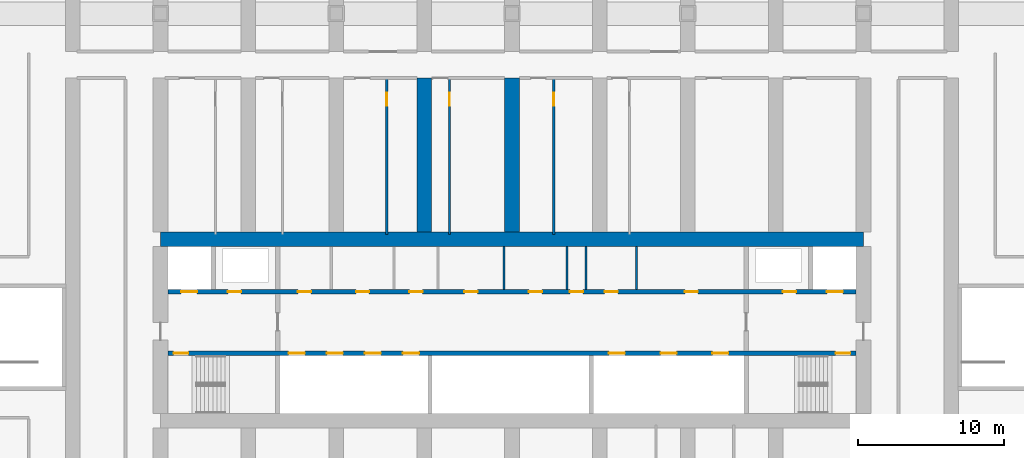
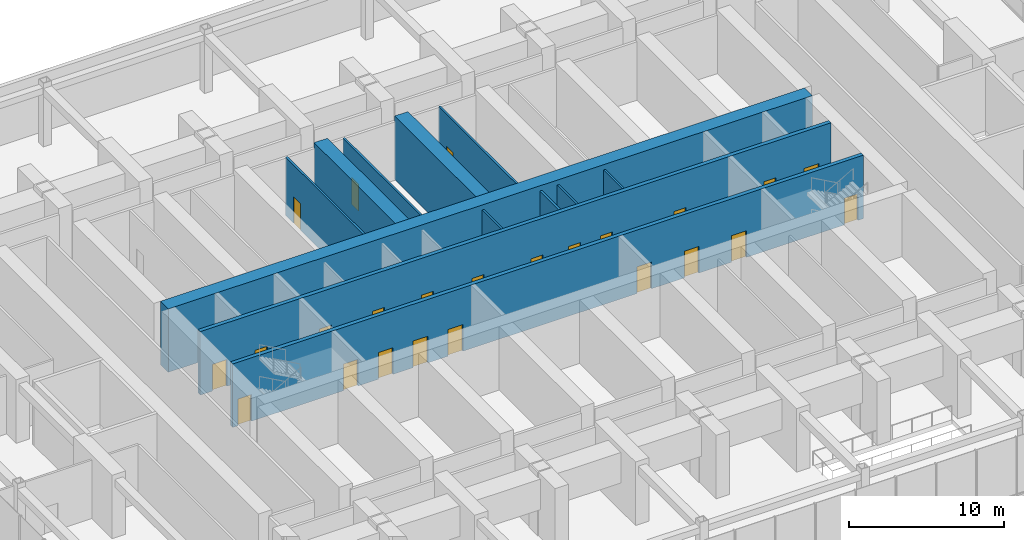
# One storey, part 14 of 26: 24 doors, 12 walls, 24 openings.
"""IFC4 building model written with IfcOpenShell, lengths in metres."""

from ifc_helpers import new_model, si_unit, direction, frame, frame_2d, origin, place, context, subcontext, project, spatial, rectangle, extrude, material, layer, layer_set, type_object, element, fill, save


model = new_model("IFC4")

# Units and contexts
model_context = context("Model", 3, precision=1e-05, world=origin(), true_north=direction((0.0, 1.0)))
body_context = subcontext(model_context, "Body", "Model", "MODEL_VIEW")
ifc_project = project(units=[si_unit("LENGTHUNIT", "METRE"), si_unit("AREAUNIT", "SQUARE_METRE"), si_unit("VOLUMEUNIT", "CUBIC_METRE"), si_unit("PLANEANGLEUNIT", "RADIAN"), si_unit("MASSUNIT", "GRAM", prefix="KILO")], contexts=[model_context])

# Site, building, storey
site_placement = place(None, origin())
site = spatial("IfcSite", under=ifc_project, at=site_placement, CompositionType="ELEMENT")
building_placement = place(site_placement, origin())
building = spatial("IfcBuilding", under=site, at=building_placement, Name="Orbita Commons", CompositionType="ELEMENT")
storey_placement = place(building_placement, frame((0.0, 0.0, 11.0)))
storey = spatial("IfcBuildingStorey", under=building, at=storey_placement, Name="L02", CompositionType="ELEMENT", Elevation=11.0)

# Wall, openings, doors
ifc_material_1 = material(Name="Concrete C50/60", Category="concrete")
ifc_layer_1 = layer(ifc_material_1, 0.300048828125)
ifc_layer_set_1 = layer_set([ifc_layer_1], Name="Concrete C50/60")
wall_type_1 = type_object("IfcWallType", Name="Core inner wall 300 C50/60", PredefinedType="SHEAR", material=ifc_layer_set_1)
wall_1_placement = place(storey_placement, frame((18.5, 30.39990234375, 0.0), z_axis=(0.0, 0.0, 1.0), x_axis=(1.0, 0.0, 0.0)))
wall_1 = element("IfcWall", 1, at=wall_1_placement, inside=storey, type_object=wall_type_1, Name="Lobby wall south L02", PredefinedType="SHEAR", context=body_context, shape_type="SweptSolid", body=[
    extrude(rectangle(XDim=47.0, YDim=0.300048828125, at=frame_2d((23.5, 0.0))), origin(), (0.0, 0.0, 1.0), 5.0),
])
opening_1_placement = place(wall_1_placement, frame((0.39990234375, 0.0, 0.0)))
opening_1 = element("IfcOpeningElement", 2, at=opening_1_placement, cuts=wall_1, Name="Opening D02", PredefinedType="OPENING", context=body_context, shape_type="SweptSolid", body=[
    extrude(rectangle(XDim=1.0, YDim=2.10009765625, at=frame_2d((0.5, 1.050048828125))), frame((0.0, 0.159912109375, 0.0), z_axis=(0.0, -1.0, 0.0), x_axis=(1.0, 0.0, 0.0)), (0.0, 0.0, 1.0), 0.320068359375),
])
opening_2_placement = place(wall_1_placement, frame((45.60009765625, 0.0, 0.0)))
opening_2 = element("IfcOpeningElement", 3, at=opening_2_placement, cuts=wall_1, Name="Opening D02", PredefinedType="OPENING", context=body_context, shape_type="SweptSolid", body=[
    extrude(rectangle(XDim=1.0, YDim=2.10009765625, at=frame_2d((0.5, 1.050048828125))), frame((0.0, 0.159912109375, 0.0), z_axis=(0.0, -1.0, 0.0), x_axis=(1.0, 0.0, 0.0)), (0.0, 0.0, 1.0), 0.320068359375),
])
opening_3_placement = place(wall_1_placement, frame((8.25, 0.0, 0.0)))
opening_3 = element("IfcOpeningElement", 4, at=opening_3_placement, cuts=wall_1, Name="Opening LD02", PredefinedType="OPENING", context=body_context, shape_type="SweptSolid", body=[
    extrude(rectangle(XDim=1.10009765625, YDim=2.10009765625, at=frame_2d((0.550048828125, 1.050048828125))), frame((0.0, 0.159912109375, 0.0), z_axis=(0.0, -1.0, 0.0), x_axis=(1.0, 0.0, 0.0)), (0.0, 0.0, 1.0), 0.320068359375),
])
opening_4_placement = place(wall_1_placement, frame((10.85009765625, 0.0, 0.0)))
opening_4 = element("IfcOpeningElement", 5, at=opening_4_placement, cuts=wall_1, Name="Opening LD02", PredefinedType="OPENING", context=body_context, shape_type="SweptSolid", body=[
    extrude(rectangle(XDim=1.10009765625, YDim=2.10009765625, at=frame_2d((0.550048828125, 1.050048828125))), frame((0.0, 0.159912109375, 0.0), z_axis=(0.0, -1.0, 0.0), x_axis=(1.0, 0.0, 0.0)), (0.0, 0.0, 1.0), 0.320068359375),
])
opening_5_placement = place(wall_1_placement, frame((13.449951171875, 0.0, 0.0)))
opening_5 = element("IfcOpeningElement", 6, at=opening_5_placement, cuts=wall_1, Name="Opening LD02", PredefinedType="OPENING", context=body_context, shape_type="SweptSolid", body=[
    extrude(rectangle(XDim=1.10009765625, YDim=2.10009765625, at=frame_2d((0.550048828125, 1.050048828125))), frame((0.0, 0.159912109375, 0.0), z_axis=(0.0, -1.0, 0.0), x_axis=(1.0, 0.0, 0.0)), (0.0, 0.0, 1.0), 0.320068359375),
])
opening_6_placement = place(wall_1_placement, frame((16.050048828125, 0.0, 0.0)))
opening_6 = element("IfcOpeningElement", 7, at=opening_6_placement, cuts=wall_1, Name="Opening LD02", PredefinedType="OPENING", context=body_context, shape_type="SweptSolid", body=[
    extrude(rectangle(XDim=1.10009765625, YDim=2.10009765625, at=frame_2d((0.550048828125, 1.050048828125))), frame((0.0, 0.159912109375, 0.0), z_axis=(0.0, -1.0, 0.0), x_axis=(1.0, 0.0, 0.0)), (0.0, 0.0, 1.0), 0.320068359375),
])
opening_7_placement = place(wall_1_placement, frame((30.11669921875, 0.0, 0.0)))
opening_7 = element("IfcOpeningElement", 8, at=opening_7_placement, cuts=wall_1, Name="Opening LD02", PredefinedType="OPENING", context=body_context, shape_type="SweptSolid", body=[
    extrude(rectangle(XDim=1.10009765625, YDim=2.10009765625, at=frame_2d((0.550048828125, 1.050048828125))), frame((0.0, 0.159912109375, 0.0), z_axis=(0.0, -1.0, 0.0), x_axis=(1.0, 0.0, 0.0)), (0.0, 0.0, 1.0), 0.320068359375),
])
opening_8_placement = place(wall_1_placement, frame((33.64990234375, 0.0, 0.0)))
opening_8 = element("IfcOpeningElement", 9, at=opening_8_placement, cuts=wall_1, Name="Opening LD02", PredefinedType="OPENING", context=body_context, shape_type="SweptSolid", body=[
    extrude(rectangle(XDim=1.10009765625, YDim=2.10009765625, at=frame_2d((0.550048828125, 1.050048828125))), frame((0.0, 0.159912109375, 0.0), z_axis=(0.0, -1.0, 0.0), x_axis=(1.0, 0.0, 0.0)), (0.0, 0.0, 1.0), 0.320068359375),
])
opening_9_placement = place(wall_1_placement, frame((37.183349609375, 0.0, 0.0)))
opening_9 = element("IfcOpeningElement", 10, at=opening_9_placement, cuts=wall_1, Name="Opening LD02", PredefinedType="OPENING", context=body_context, shape_type="SweptSolid", body=[
    extrude(rectangle(XDim=1.10009765625, YDim=2.10009765625, at=frame_2d((0.550048828125, 1.050048828125))), frame((0.0, 0.159912109375, 0.0), z_axis=(0.0, -1.0, 0.0), x_axis=(1.0, 0.0, 0.0)), (0.0, 0.0, 1.0), 0.320068359375),
])
ifc_material_2 = material(Name="Steel-faced fire door leaf", Category="steel")
door_type_1 = type_object("IfcDoorType", Name="Fire door 90 min 1000x2100", OperationType="SINGLE_SWING_LEFT", PredefinedType="DOOR", material=ifc_material_2)
door_1_placement = place(opening_1_placement, origin())
door_1 = element("IfcDoor", 11, at=door_1_placement, inside=storey, type_object=door_type_1, Name="Stair S1 door", OperationType="SINGLE_SWING_LEFT", OverallHeight=2.10009765625, OverallWidth=1.0, PredefinedType="DOOR", context=body_context, shape_type="SweptSolid", body=[
    extrude(rectangle(XDim=1.0, YDim=2.10009765625, at=frame_2d((0.5, 1.050048828125))), frame((0.0, 0.02490234375, 0.0), z_axis=(0.0, -1.0, 0.0), x_axis=(1.0, 0.0, 0.0)), (0.0, 0.0, 1.0), 0.050048828125),
])
fill(opening_1, door_1)
door_2_placement = place(opening_2_placement, origin())
door_2 = element("IfcDoor", 12, at=door_2_placement, inside=storey, type_object=door_type_1, Name="Stair S2 door", OperationType="SINGLE_SWING_LEFT", OverallHeight=2.10009765625, OverallWidth=1.0, PredefinedType="DOOR", context=body_context, shape_type="SweptSolid", body=[
    extrude(rectangle(XDim=1.0, YDim=2.10009765625, at=frame_2d((0.5, 1.050048828125))), frame((0.0, 0.02490234375, 0.0), z_axis=(0.0, -1.0, 0.0), x_axis=(1.0, 0.0, 0.0)), (0.0, 0.0, 1.0), 0.050048828125),
])
fill(opening_2, door_2)
ifc_material_3 = material(Name="Steel-faced fire door leaf", Category="steel")
door_type_2 = type_object("IfcDoorType", Name="Lift landing door 1100x2100", OperationType="DOUBLE_DOOR_SLIDING", PredefinedType="DOOR", material=ifc_material_3)
door_3_placement = place(opening_3_placement, origin())
door_3 = element("IfcDoor", 13, at=door_3_placement, inside=storey, type_object=door_type_2, Name="Lift P11 landing door", OperationType="DOUBLE_DOOR_SLIDING", OverallHeight=2.10009765625, OverallWidth=1.10009765625, PredefinedType="DOOR", context=body_context, shape_type="SweptSolid", body=[
    extrude(rectangle(XDim=1.10009765625, YDim=2.10009765625, at=frame_2d((0.550048828125, 1.050048828125))), frame((0.0, 0.02490234375, 0.0), z_axis=(0.0, -1.0, 0.0), x_axis=(1.0, 0.0, 0.0)), (0.0, 0.0, 1.0), 0.050048828125),
])
fill(opening_3, door_3)
door_4_placement = place(opening_4_placement, origin())
door_4 = element("IfcDoor", 14, at=door_4_placement, inside=storey, type_object=door_type_2, Name="Lift P12 landing door", OperationType="DOUBLE_DOOR_SLIDING", OverallHeight=2.10009765625, OverallWidth=1.10009765625, PredefinedType="DOOR", context=body_context, shape_type="SweptSolid", body=[
    extrude(rectangle(XDim=1.10009765625, YDim=2.10009765625, at=frame_2d((0.550048828125, 1.050048828125))), frame((0.0, 0.02490234375, 0.0), z_axis=(0.0, -1.0, 0.0), x_axis=(1.0, 0.0, 0.0)), (0.0, 0.0, 1.0), 0.050048828125),
])
fill(opening_4, door_4)
door_5_placement = place(opening_5_placement, origin())
door_5 = element("IfcDoor", 15, at=door_5_placement, inside=storey, type_object=door_type_2, Name="Lift P13 landing door", OperationType="DOUBLE_DOOR_SLIDING", OverallHeight=2.10009765625, OverallWidth=1.10009765625, PredefinedType="DOOR", context=body_context, shape_type="SweptSolid", body=[
    extrude(rectangle(XDim=1.10009765625, YDim=2.10009765625, at=frame_2d((0.550048828125, 1.050048828125))), frame((0.0, 0.02490234375, 0.0), z_axis=(0.0, -1.0, 0.0), x_axis=(1.0, 0.0, 0.0)), (0.0, 0.0, 1.0), 0.050048828125),
])
fill(opening_5, door_5)
door_6_placement = place(opening_6_placement, origin())
door_6 = element("IfcDoor", 16, at=door_6_placement, inside=storey, type_object=door_type_2, Name="Lift P14 landing door", OperationType="DOUBLE_DOOR_SLIDING", OverallHeight=2.10009765625, OverallWidth=1.10009765625, PredefinedType="DOOR", context=body_context, shape_type="SweptSolid", body=[
    extrude(rectangle(XDim=1.10009765625, YDim=2.10009765625, at=frame_2d((0.550048828125, 1.050048828125))), frame((0.0, 0.02490234375, 0.0), z_axis=(0.0, -1.0, 0.0), x_axis=(1.0, 0.0, 0.0)), (0.0, 0.0, 1.0), 0.050048828125),
])
fill(opening_6, door_6)
door_7_placement = place(opening_7_placement, origin())
door_7 = element("IfcDoor", 17, at=door_7_placement, inside=storey, type_object=door_type_2, Name="Lift SV1 landing door", OperationType="DOUBLE_DOOR_SLIDING", OverallHeight=2.10009765625, OverallWidth=1.10009765625, PredefinedType="DOOR", context=body_context, shape_type="SweptSolid", body=[
    extrude(rectangle(XDim=1.10009765625, YDim=2.10009765625, at=frame_2d((0.550048828125, 1.050048828125))), frame((0.0, 0.02490234375, 0.0), z_axis=(0.0, -1.0, 0.0), x_axis=(1.0, 0.0, 0.0)), (0.0, 0.0, 1.0), 0.050048828125),
])
fill(opening_7, door_7)
door_8_placement = place(opening_8_placement, origin())
door_8 = element("IfcDoor", 18, at=door_8_placement, inside=storey, type_object=door_type_2, Name="Lift SV2 landing door", OperationType="DOUBLE_DOOR_SLIDING", OverallHeight=2.10009765625, OverallWidth=1.10009765625, PredefinedType="DOOR", context=body_context, shape_type="SweptSolid", body=[
    extrude(rectangle(XDim=1.10009765625, YDim=2.10009765625, at=frame_2d((0.550048828125, 1.050048828125))), frame((0.0, 0.02490234375, 0.0), z_axis=(0.0, -1.0, 0.0), x_axis=(1.0, 0.0, 0.0)), (0.0, 0.0, 1.0), 0.050048828125),
])
fill(opening_8, door_8)
door_9_placement = place(opening_9_placement, origin())
door_9 = element("IfcDoor", 19, at=door_9_placement, inside=storey, type_object=door_type_2, Name="Lift SV3 landing door", OperationType="DOUBLE_DOOR_SLIDING", OverallHeight=2.10009765625, OverallWidth=1.10009765625, PredefinedType="DOOR", context=body_context, shape_type="SweptSolid", body=[
    extrude(rectangle(XDim=1.10009765625, YDim=2.10009765625, at=frame_2d((0.550048828125, 1.050048828125))), frame((0.0, 0.02490234375, 0.0), z_axis=(0.0, -1.0, 0.0), x_axis=(1.0, 0.0, 0.0)), (0.0, 0.0, 1.0), 0.050048828125),
])
fill(opening_9, door_9)

wall_2_placement = place(storey_placement, frame((18.5, 34.60009765625, 0.0), z_axis=(0.0, 0.0, 1.0), x_axis=(1.0, 0.0, 0.0)))
wall_2 = element("IfcWall", 20, at=wall_2_placement, inside=storey, type_object=wall_type_1, Name="Lobby wall north L02", PredefinedType="SHEAR", context=body_context, shape_type="SweptSolid", body=[
    extrude(rectangle(XDim=47.0, YDim=0.300048828125, at=frame_2d((23.5, 0.0))), origin(), (0.0, 0.0, 1.0), 5.0),
])
opening_10_placement = place(wall_2_placement, frame((0.89990234375, 0.0, 0.0)))
opening_10 = element("IfcOpeningElement", 21, at=opening_10_placement, cuts=wall_2, Name="Opening LD01", PredefinedType="OPENING", context=body_context, shape_type="SweptSolid", body=[
    extrude(rectangle(XDim=1.10009765625, YDim=2.10009765625, at=frame_2d((0.550048828125, 1.050048828125))), frame((0.0, 0.159912109375, 0.0), z_axis=(0.0, -1.0, 0.0), x_axis=(1.0, 0.0, 0.0)), (0.0, 0.0, 1.0), 0.320068359375),
])
opening_11_placement = place(wall_2_placement, frame((45.0, 0.0, 0.0)))
opening_11 = element("IfcOpeningElement", 22, at=opening_11_placement, cuts=wall_2, Name="Opening LD01", PredefinedType="OPENING", context=body_context, shape_type="SweptSolid", body=[
    extrude(rectangle(XDim=1.10009765625, YDim=2.10009765625, at=frame_2d((0.550048828125, 1.050048828125))), frame((0.0, 0.159912109375, 0.0), z_axis=(0.0, -1.0, 0.0), x_axis=(1.0, 0.0, 0.0)), (0.0, 0.0, 1.0), 0.320068359375),
])
opening_12_placement = place(wall_2_placement, frame((4.10009765625, 0.0, 0.0)))
opening_12 = element("IfcOpeningElement", 23, at=opening_12_placement, cuts=wall_2, Name="Opening D03", PredefinedType="OPENING", context=body_context, shape_type="SweptSolid", body=[
    extrude(rectangle(XDim=0.89990234375, YDim=2.10009765625, at=frame_2d((0.449951171875, 1.050048828125))), frame((0.0, 0.159912109375, 0.0), z_axis=(0.0, -1.0, 0.0), x_axis=(1.0, 0.0, 0.0)), (0.0, 0.0, 1.0), 0.320068359375),
])
opening_13_placement = place(wall_2_placement, frame((42.0, 0.0, 0.0)))
opening_13 = element("IfcOpeningElement", 24, at=opening_13_placement, cuts=wall_2, Name="Opening D03", PredefinedType="OPENING", context=body_context, shape_type="SweptSolid", body=[
    extrude(rectangle(XDim=0.89990234375, YDim=2.10009765625, at=frame_2d((0.449951171875, 1.050048828125))), frame((0.0, 0.159912109375, 0.0), z_axis=(0.0, -1.0, 0.0), x_axis=(1.0, 0.0, 0.0)), (0.0, 0.0, 1.0), 0.320068359375),
])
opening_14_placement = place(wall_2_placement, frame((8.87548828125, 0.0, 0.0)))
opening_14 = element("IfcOpeningElement", 25, at=opening_14_placement, cuts=wall_2, Name="Opening D05", PredefinedType="OPENING", context=body_context, shape_type="SweptSolid", body=[
    extrude(rectangle(XDim=0.89990234375, YDim=2.10009765625, at=frame_2d((0.449951171875, 1.050048828125))), frame((0.0, 0.159912109375, 0.0), z_axis=(0.0, -1.0, 0.0), x_axis=(1.0, 0.0, 0.0)), (0.0, 0.0, 1.0), 0.320068359375),
])
opening_15_placement = place(wall_2_placement, frame((12.8486328125, 0.0, 0.0)))
opening_15 = element("IfcOpeningElement", 26, at=opening_15_placement, cuts=wall_2, Name="Opening D03", PredefinedType="OPENING", context=body_context, shape_type="SweptSolid", body=[
    extrude(rectangle(XDim=0.89990234375, YDim=2.10009765625, at=frame_2d((0.449951171875, 1.050048828125))), frame((0.0, 0.159912109375, 0.0), z_axis=(0.0, -1.0, 0.0), x_axis=(1.0, 0.0, 0.0)), (0.0, 0.0, 1.0), 0.320068359375),
])
opening_16_placement = place(wall_2_placement, frame((16.496337890625, 0.0, 0.0)))
opening_16 = element("IfcOpeningElement", 27, at=opening_16_placement, cuts=wall_2, Name="Opening D03", PredefinedType="OPENING", context=body_context, shape_type="SweptSolid", body=[
    extrude(rectangle(XDim=0.89990234375, YDim=2.10009765625, at=frame_2d((0.449951171875, 1.050048828125))), frame((0.0, 0.159912109375, 0.0), z_axis=(0.0, -1.0, 0.0), x_axis=(1.0, 0.0, 0.0)), (0.0, 0.0, 1.0), 0.320068359375),
])
opening_17_placement = place(wall_2_placement, frame((20.254638671875, 0.0, 0.0)))
opening_17 = element("IfcOpeningElement", 28, at=opening_17_placement, cuts=wall_2, Name="Opening D05", PredefinedType="OPENING", context=body_context, shape_type="SweptSolid", body=[
    extrude(rectangle(XDim=0.89990234375, YDim=2.10009765625, at=frame_2d((0.449951171875, 1.050048828125))), frame((0.0, 0.159912109375, 0.0), z_axis=(0.0, -1.0, 0.0), x_axis=(1.0, 0.0, 0.0)), (0.0, 0.0, 1.0), 0.320068359375),
])
opening_18_placement = place(wall_2_placement, frame((24.66064453125, 0.0, 0.0)))
opening_18 = element("IfcOpeningElement", 29, at=opening_18_placement, cuts=wall_2, Name="Opening D03", PredefinedType="OPENING", context=body_context, shape_type="SweptSolid", body=[
    extrude(rectangle(XDim=0.89990234375, YDim=2.10009765625, at=frame_2d((0.449951171875, 1.050048828125))), frame((0.0, 0.159912109375, 0.0), z_axis=(0.0, -1.0, 0.0), x_axis=(1.0, 0.0, 0.0)), (0.0, 0.0, 1.0), 0.320068359375),
])
opening_19_placement = place(wall_2_placement, frame((27.45849609375, 0.0, 0.0)))
opening_19 = element("IfcOpeningElement", 30, at=opening_19_placement, cuts=wall_2, Name="Opening D03", PredefinedType="OPENING", context=body_context, shape_type="SweptSolid", body=[
    extrude(rectangle(XDim=0.89990234375, YDim=2.10009765625, at=frame_2d((0.449951171875, 1.050048828125))), frame((0.0, 0.159912109375, 0.0), z_axis=(0.0, -1.0, 0.0), x_axis=(1.0, 0.0, 0.0)), (0.0, 0.0, 1.0), 0.320068359375),
])
opening_20_placement = place(wall_2_placement, frame((29.830810546875, 0.0, 0.0)))
opening_20 = element("IfcOpeningElement", 31, at=opening_20_placement, cuts=wall_2, Name="Opening D05", PredefinedType="OPENING", context=body_context, shape_type="SweptSolid", body=[
    extrude(rectangle(XDim=0.89990234375, YDim=2.10009765625, at=frame_2d((0.449951171875, 1.050048828125))), frame((0.0, 0.159912109375, 0.0), z_axis=(0.0, -1.0, 0.0), x_axis=(1.0, 0.0, 0.0)), (0.0, 0.0, 1.0), 0.320068359375),
])
opening_21_placement = place(wall_2_placement, frame((35.301513671875, 0.0, 0.0)))
opening_21 = element("IfcOpeningElement", 32, at=opening_21_placement, cuts=wall_2, Name="Opening D03", PredefinedType="OPENING", context=body_context, shape_type="SweptSolid", body=[
    extrude(rectangle(XDim=0.89990234375, YDim=2.10009765625, at=frame_2d((0.449951171875, 1.050048828125))), frame((0.0, 0.159912109375, 0.0), z_axis=(0.0, -1.0, 0.0), x_axis=(1.0, 0.0, 0.0)), (0.0, 0.0, 1.0), 0.320068359375),
])
ifc_material_4 = material(Name="Steel-faced fire door leaf", Category="steel")
door_type_3 = type_object("IfcDoorType", Name="Firefighting lift landing door 1100x2100", OperationType="DOUBLE_DOOR_SLIDING", PredefinedType="DOOR", material=ifc_material_4)
door_10_placement = place(opening_10_placement, origin())
door_10 = element("IfcDoor", 33, at=door_10_placement, inside=storey, type_object=door_type_3, Name="Firefighting lift FL1 landing door", OperationType="DOUBLE_DOOR_SLIDING", OverallHeight=2.10009765625, OverallWidth=1.10009765625, PredefinedType="DOOR", context=body_context, shape_type="SweptSolid", body=[
    extrude(rectangle(XDim=1.10009765625, YDim=2.10009765625, at=frame_2d((0.550048828125, 1.050048828125))), frame((0.0, 0.02490234375, 0.0), z_axis=(0.0, -1.0, 0.0), x_axis=(1.0, 0.0, 0.0)), (0.0, 0.0, 1.0), 0.050048828125),
])
fill(opening_10, door_10)
door_11_placement = place(opening_11_placement, origin())
door_11 = element("IfcDoor", 34, at=door_11_placement, inside=storey, type_object=door_type_3, Name="Firefighting lift FL2 landing door", OperationType="DOUBLE_DOOR_SLIDING", OverallHeight=2.10009765625, OverallWidth=1.10009765625, PredefinedType="DOOR", context=body_context, shape_type="SweptSolid", body=[
    extrude(rectangle(XDim=1.10009765625, YDim=2.10009765625, at=frame_2d((0.550048828125, 1.050048828125))), frame((0.0, 0.02490234375, 0.0), z_axis=(0.0, -1.0, 0.0), x_axis=(1.0, 0.0, 0.0)), (0.0, 0.0, 1.0), 0.050048828125),
])
fill(opening_11, door_11)
ifc_material_5 = material(Name="Steel-faced fire door leaf", Category="steel")
door_type_4 = type_object("IfcDoorType", Name="Service door 20 min 900x2100", OperationType="SINGLE_SWING_LEFT", PredefinedType="DOOR", material=ifc_material_5)
door_12_placement = place(opening_14_placement, origin())
door_12 = element("IfcDoor", 35, at=door_12_placement, inside=storey, type_object=door_type_4, Name="Staff WC door", OperationType="SINGLE_SWING_LEFT", OverallHeight=2.10009765625, OverallWidth=0.89990234375, PredefinedType="DOOR", context=body_context, shape_type="SweptSolid", body=[
    extrude(rectangle(XDim=0.89990234375, YDim=2.10009765625, at=frame_2d((0.449951171875, 1.050048828125))), frame((0.0, 0.02490234375, 0.0), z_axis=(0.0, -1.0, 0.0), x_axis=(1.0, 0.0, 0.0)), (0.0, 0.0, 1.0), 0.050048828125),
])
fill(opening_14, door_12)
door_13_placement = place(opening_17_placement, origin())
door_13 = element("IfcDoor", 36, at=door_13_placement, inside=storey, type_object=door_type_4, Name="Vending and ice room door", OperationType="SINGLE_SWING_LEFT", OverallHeight=2.10009765625, OverallWidth=0.89990234375, PredefinedType="DOOR", context=body_context, shape_type="SweptSolid", body=[
    extrude(rectangle(XDim=0.89990234375, YDim=2.10009765625, at=frame_2d((0.449951171875, 1.050048828125))), frame((0.0, 0.02490234375, 0.0), z_axis=(0.0, -1.0, 0.0), x_axis=(1.0, 0.0, 0.0)), (0.0, 0.0, 1.0), 0.050048828125),
])
fill(opening_17, door_13)
door_14_placement = place(opening_20_placement, origin())
door_14 = element("IfcDoor", 37, at=door_14_placement, inside=storey, type_object=door_type_4, Name="Accessible WC door", OperationType="SINGLE_SWING_LEFT", OverallHeight=2.10009765625, OverallWidth=0.89990234375, PredefinedType="DOOR", context=body_context, shape_type="SweptSolid", body=[
    extrude(rectangle(XDim=0.89990234375, YDim=2.10009765625, at=frame_2d((0.449951171875, 1.050048828125))), frame((0.0, 0.02490234375, 0.0), z_axis=(0.0, -1.0, 0.0), x_axis=(1.0, 0.0, 0.0)), (0.0, 0.0, 1.0), 0.050048828125),
])
fill(opening_20, door_14)
ifc_material_6 = material(Name="Steel-faced fire door leaf", Category="steel")
door_type_5 = type_object("IfcDoorType", Name="Shaft access door 90 min 900x2100", OperationType="SINGLE_SWING_LEFT", PredefinedType="DOOR", material=ifc_material_6)
door_15_placement = place(opening_12_placement, origin())
door_15 = element("IfcDoor", 38, at=door_15_placement, inside=storey, type_object=door_type_5, Name="Riser door west", OperationType="SINGLE_SWING_LEFT", OverallHeight=2.10009765625, OverallWidth=0.89990234375, PredefinedType="DOOR", context=body_context, shape_type="SweptSolid", body=[
    extrude(rectangle(XDim=0.89990234375, YDim=2.10009765625, at=frame_2d((0.449951171875, 1.050048828125))), frame((0.0, 0.02490234375, 0.0), z_axis=(0.0, -1.0, 0.0), x_axis=(1.0, 0.0, 0.0)), (0.0, 0.0, 1.0), 0.050048828125),
])
fill(opening_12, door_15)
door_16_placement = place(opening_13_placement, origin())
door_16 = element("IfcDoor", 39, at=door_16_placement, inside=storey, type_object=door_type_5, Name="Riser door east", OperationType="SINGLE_SWING_LEFT", OverallHeight=2.10009765625, OverallWidth=0.89990234375, PredefinedType="DOOR", context=body_context, shape_type="SweptSolid", body=[
    extrude(rectangle(XDim=0.89990234375, YDim=2.10009765625, at=frame_2d((0.449951171875, 1.050048828125))), frame((0.0, 0.02490234375, 0.0), z_axis=(0.0, -1.0, 0.0), x_axis=(1.0, 0.0, 0.0)), (0.0, 0.0, 1.0), 0.050048828125),
])
fill(opening_13, door_16)
door_17_placement = place(opening_15_placement, origin())
door_17 = element("IfcDoor", 40, at=door_17_placement, inside=storey, type_object=door_type_5, Name="Refuse chute room door", OperationType="SINGLE_SWING_LEFT", OverallHeight=2.10009765625, OverallWidth=0.89990234375, PredefinedType="DOOR", context=body_context, shape_type="SweptSolid", body=[
    extrude(rectangle(XDim=0.89990234375, YDim=2.10009765625, at=frame_2d((0.449951171875, 1.050048828125))), frame((0.0, 0.02490234375, 0.0), z_axis=(0.0, -1.0, 0.0), x_axis=(1.0, 0.0, 0.0)), (0.0, 0.0, 1.0), 0.050048828125),
])
fill(opening_15, door_17)
door_18_placement = place(opening_16_placement, origin())
door_18 = element("IfcDoor", 41, at=door_18_placement, inside=storey, type_object=door_type_5, Name="Electrical riser room door", OperationType="SINGLE_SWING_LEFT", OverallHeight=2.10009765625, OverallWidth=0.89990234375, PredefinedType="DOOR", context=body_context, shape_type="SweptSolid", body=[
    extrude(rectangle(XDim=0.89990234375, YDim=2.10009765625, at=frame_2d((0.449951171875, 1.050048828125))), frame((0.0, 0.02490234375, 0.0), z_axis=(0.0, -1.0, 0.0), x_axis=(1.0, 0.0, 0.0)), (0.0, 0.0, 1.0), 0.050048828125),
])
fill(opening_16, door_18)
door_19_placement = place(opening_18_placement, origin())
door_19 = element("IfcDoor", 42, at=door_19_placement, inside=storey, type_object=door_type_5, Name="Communications room door", OperationType="SINGLE_SWING_LEFT", OverallHeight=2.10009765625, OverallWidth=0.89990234375, PredefinedType="DOOR", context=body_context, shape_type="SweptSolid", body=[
    extrude(rectangle(XDim=0.89990234375, YDim=2.10009765625, at=frame_2d((0.449951171875, 1.050048828125))), frame((0.0, 0.02490234375, 0.0), z_axis=(0.0, -1.0, 0.0), x_axis=(1.0, 0.0, 0.0)), (0.0, 0.0, 1.0), 0.050048828125),
])
fill(opening_18, door_19)
door_20_placement = place(opening_19_placement, origin())
door_20 = element("IfcDoor", 43, at=door_20_placement, inside=storey, type_object=door_type_5, Name="Stair pressurisation duct door", OperationType="SINGLE_SWING_LEFT", OverallHeight=2.10009765625, OverallWidth=0.89990234375, PredefinedType="DOOR", context=body_context, shape_type="SweptSolid", body=[
    extrude(rectangle(XDim=0.89990234375, YDim=2.10009765625, at=frame_2d((0.449951171875, 1.050048828125))), frame((0.0, 0.02490234375, 0.0), z_axis=(0.0, -1.0, 0.0), x_axis=(1.0, 0.0, 0.0)), (0.0, 0.0, 1.0), 0.050048828125),
])
fill(opening_19, door_20)
door_21_placement = place(opening_21_placement, origin())
door_21 = element("IfcDoor", 44, at=door_21_placement, inside=storey, type_object=door_type_5, Name="Linen and housekeeping store door", OperationType="SINGLE_SWING_LEFT", OverallHeight=2.10009765625, OverallWidth=0.89990234375, PredefinedType="DOOR", context=body_context, shape_type="SweptSolid", body=[
    extrude(rectangle(XDim=0.89990234375, YDim=2.10009765625, at=frame_2d((0.449951171875, 1.050048828125))), frame((0.0, 0.02490234375, 0.0), z_axis=(0.0, -1.0, 0.0), x_axis=(1.0, 0.0, 0.0)), (0.0, 0.0, 1.0), 0.050048828125),
])
fill(opening_21, door_21)

# Walls
ifc_material_7 = material(Name="Concrete blockwork", Category="masonry")
ifc_layer_2 = layer(ifc_material_7, 0.14990234375)
ifc_layer_set_2 = layer_set([ifc_layer_2], Name="Concrete blockwork")
wall_type_2 = type_object("IfcWallType", Name="Core partition 150 blockwork", PredefinedType="SOLIDWALL", material=ifc_layer_set_2)
for number, where, z_axis, x_axis, name in (
    (45, (41.463134765625, 34.75, 0.0), (0.0, 0.0, 1.0), (0.0, 1.0, 0.0), "Core partition 150 blockwork L02"),
    (46, (45.75830078125, 34.75, 0.0), (0.0, 0.0, 1.0), (0.0, 1.0, 0.0), "Core partition 150 blockwork L02"),
    (47, (47.058349609375, 34.75, 0.0), (0.0, 0.0, 1.0), (0.0, 1.0, 0.0), "Core partition 150 blockwork L02"),
    (48, (50.5029296875, 34.75, 0.0), (0.0, 0.0, 1.0), (0.0, 1.0, 0.0), "Core partition 150 blockwork L02"),
):
    element("IfcWall", number, at=place(storey_placement, frame(where, z_axis=z_axis, x_axis=x_axis)), inside=storey, type_object=wall_type_2, Name=name, PredefinedType="SOLIDWALL", context=body_context, shape_type="SweptSolid", body=[
        extrude(rectangle(XDim=2.949951171875, YDim=0.14990234375, at=frame_2d((1.47509765625, 0.0))), origin(), (0.0, 0.0, 1.0), 4.60009765625),
    ])
ifc_material_8 = material(Name="Concrete C50/60", Category="concrete")
ifc_layer_3 = layer(ifc_material_8, 1.0)
ifc_layer_set_3 = layer_set([ifc_layer_3], Name="Concrete C50/60")
wall_type_3 = type_object("IfcWallType", Name="Core wall 1000 C50/60", PredefinedType="SHEAR", material=ifc_layer_set_3)
wall_3_placement = place(storey_placement, frame((18.0, 38.199951171875, 0.0), z_axis=(0.0, 0.0, 1.0), x_axis=(1.0, 0.0, 0.0)))
element("IfcWall", 49, at=wall_3_placement, inside=storey, type_object=wall_type_3, Name="Core spine wall north L02", PredefinedType="SHEAR", context=body_context, shape_type="SweptSolid", body=[
    extrude(rectangle(XDim=48.0, YDim=1.0, at=frame_2d((24.0, 0.0))), origin(), (0.0, 0.0, 1.0), 5.0),
])
ifc_material_9 = material(Name="Concrete C50/60", Category="concrete")
ifc_layer_4 = layer(ifc_material_9, 1.0)
ifc_layer_set_4 = layer_set([ifc_layer_4], Name="Concrete C50/60")
wall_type_4 = type_object("IfcWallType", Name="Cross wall 1000 C50/60", PredefinedType="SHEAR", material=ifc_layer_set_4)
for number, where, z_axis, x_axis, name in (
    (50, (36.0, 38.699951171875, 0.0), (0.0, 0.0, 1.0), (0.0, 1.0, 0.0), "Cross wall 7 north inner L02"),
    (51, (42.0, 38.699951171875, 0.0), (0.0, 0.0, 1.0), (0.0, 1.0, 0.0), "Cross wall 8 north inner L02"),
):
    element("IfcWall", number, at=place(storey_placement, frame(where, z_axis=z_axis, x_axis=x_axis)), inside=storey, type_object=wall_type_4, Name=name, PredefinedType="SHEAR", context=body_context, shape_type="SweptSolid", body=[
        extrude(rectangle(XDim=10.5, YDim=1.0, at=frame_2d((5.25, 0.0))), origin(), (0.0, 0.0, 1.0), 5.0),
    ])

# Wall, opening, door
ifc_material_10 = material(Name="Gypsum plasterboard on steel studs", Category="steel")
ifc_layer_5 = layer(ifc_material_10, 0.14990234375)
ifc_layer_set_5 = layer_set([ifc_layer_5], Name="Gypsum plasterboard on steel studs")
wall_type_5 = type_object("IfcWallType", Name="Partition 150 plasterboard", PredefinedType="PARTITIONING", material=ifc_layer_set_5)
wall_4_placement = place(storey_placement, frame((33.449951171875, 38.5, 0.0), z_axis=(0.0, 0.0, 1.0), x_axis=(0.0, 1.0, 0.0)))
wall_4 = element("IfcWall", 52, at=wall_4_placement, inside=storey, type_object=wall_type_5, Name="Partition 150 plasterboard L02", PredefinedType="PARTITIONING", context=body_context, shape_type="SweptSolid", body=[
    extrude(rectangle(XDim=10.699951171875, YDim=0.14990234375, at=frame_2d((5.35009765625, 0.0))), origin(), (0.0, 0.0, 1.0), 4.60009765625),
])
opening_22_placement = place(wall_4_placement, frame((8.800048828125, 0.0, 0.0)))
opening_22 = element("IfcOpeningElement", 53, at=opening_22_placement, cuts=wall_4, Name="Opening D09", PredefinedType="OPENING", context=body_context, shape_type="SweptSolid", body=[
    extrude(rectangle(XDim=0.89990234375, YDim=2.10009765625, at=frame_2d((0.449951171875, 1.050048828125))), frame((0.0, 0.0849609375, 0.0), z_axis=(0.0, -1.0, 0.0), x_axis=(1.0, 0.0, 0.0)), (0.0, 0.0, 1.0), 0.169921875),
])
ifc_material_11 = material(Name="Laminated timber door leaf", Category="wood")
door_type_6 = type_object("IfcDoorType", Name="En-suite door 900x2100", OperationType="SINGLE_SWING_RIGHT", PredefinedType="DOOR", material=ifc_material_11)
door_22_placement = place(opening_22_placement, origin())
door_22 = element("IfcDoor", 54, at=door_22_placement, inside=storey, type_object=door_type_6, Name="Games store L02 door", OperationType="SINGLE_SWING_RIGHT", OverallHeight=2.10009765625, OverallWidth=0.89990234375, PredefinedType="DOOR", context=body_context, shape_type="SweptSolid", body=[
    extrude(rectangle(XDim=0.89990234375, YDim=2.10009765625, at=frame_2d((0.449951171875, 1.050048828125))), frame((0.0, 0.02490234375, 0.0), z_axis=(0.0, -1.0, 0.0), x_axis=(1.0, 0.0, 0.0)), (0.0, 0.0, 1.0), 0.050048828125),
])
fill(opening_22, door_22)

wall_5_placement = place(storey_placement, frame((37.72509765625, 38.5, 0.0), z_axis=(0.0, 0.0, 1.0), x_axis=(0.0, 1.0, 0.0)))
wall_5 = element("IfcWall", 55, at=wall_5_placement, inside=storey, type_object=wall_type_5, Name="Partition 150 plasterboard L02", PredefinedType="PARTITIONING", context=body_context, shape_type="SweptSolid", body=[
    extrude(rectangle(XDim=10.699951171875, YDim=0.14990234375, at=frame_2d((5.35009765625, 0.0))), origin(), (0.0, 0.0, 1.0), 4.60009765625),
])
opening_23_placement = place(wall_5_placement, frame((8.800048828125, 0.0, 0.0)))
opening_23 = element("IfcOpeningElement", 56, at=opening_23_placement, cuts=wall_5, Name="Opening D09", PredefinedType="OPENING", context=body_context, shape_type="SweptSolid", body=[
    extrude(rectangle(XDim=0.89990234375, YDim=2.10009765625, at=frame_2d((0.449951171875, 1.050048828125))), frame((0.0, 0.0849609375, 0.0), z_axis=(0.0, -1.0, 0.0), x_axis=(1.0, 0.0, 0.0)), (0.0, 0.0, 1.0), 0.169921875),
])
door_23_placement = place(opening_23_placement, origin())
door_23 = element("IfcDoor", 57, at=door_23_placement, inside=storey, type_object=door_type_6, Name="Ablutions room L02 door", OperationType="SINGLE_SWING_RIGHT", OverallHeight=2.10009765625, OverallWidth=0.89990234375, PredefinedType="DOOR", context=body_context, shape_type="SweptSolid", body=[
    extrude(rectangle(XDim=0.89990234375, YDim=2.10009765625, at=frame_2d((0.449951171875, 1.050048828125))), frame((0.0, 0.02490234375, 0.0), z_axis=(0.0, -1.0, 0.0), x_axis=(1.0, 0.0, 0.0)), (0.0, 0.0, 1.0), 0.050048828125),
])
fill(opening_23, door_23)

wall_6_placement = place(storey_placement, frame((44.85009765625, 38.5, 0.0), z_axis=(0.0, 0.0, 1.0), x_axis=(0.0, 1.0, 0.0)))
wall_6 = element("IfcWall", 58, at=wall_6_placement, inside=storey, type_object=wall_type_5, Name="Partition 150 plasterboard L02", PredefinedType="PARTITIONING", context=body_context, shape_type="SweptSolid", body=[
    extrude(rectangle(XDim=10.699951171875, YDim=0.14990234375, at=frame_2d((5.35009765625, 0.0))), origin(), (0.0, 0.0, 1.0), 4.60009765625),
])
opening_24_placement = place(wall_6_placement, frame((8.800048828125, 0.0, 0.0)))
opening_24 = element("IfcOpeningElement", 59, at=opening_24_placement, cuts=wall_6, Name="Opening D09", PredefinedType="OPENING", context=body_context, shape_type="SweptSolid", body=[
    extrude(rectangle(XDim=0.89990234375, YDim=2.10009765625, at=frame_2d((0.449951171875, 1.050048828125))), frame((0.0, 0.0849609375, 0.0), z_axis=(0.0, -1.0, 0.0), x_axis=(1.0, 0.0, 0.0)), (0.0, 0.0, 1.0), 0.169921875),
])
door_24_placement = place(opening_24_placement, origin())
door_24 = element("IfcDoor", 60, at=door_24_placement, inside=storey, type_object=door_type_6, Name="Project store L02 door", OperationType="SINGLE_SWING_RIGHT", OverallHeight=2.10009765625, OverallWidth=0.89990234375, PredefinedType="DOOR", context=body_context, shape_type="SweptSolid", body=[
    extrude(rectangle(XDim=0.89990234375, YDim=2.10009765625, at=frame_2d((0.449951171875, 1.050048828125))), frame((0.0, 0.02490234375, 0.0), z_axis=(0.0, -1.0, 0.0), x_axis=(1.0, 0.0, 0.0)), (0.0, 0.0, 1.0), 0.050048828125),
])
fill(opening_24, door_24)

save(model, "model.ifc")
